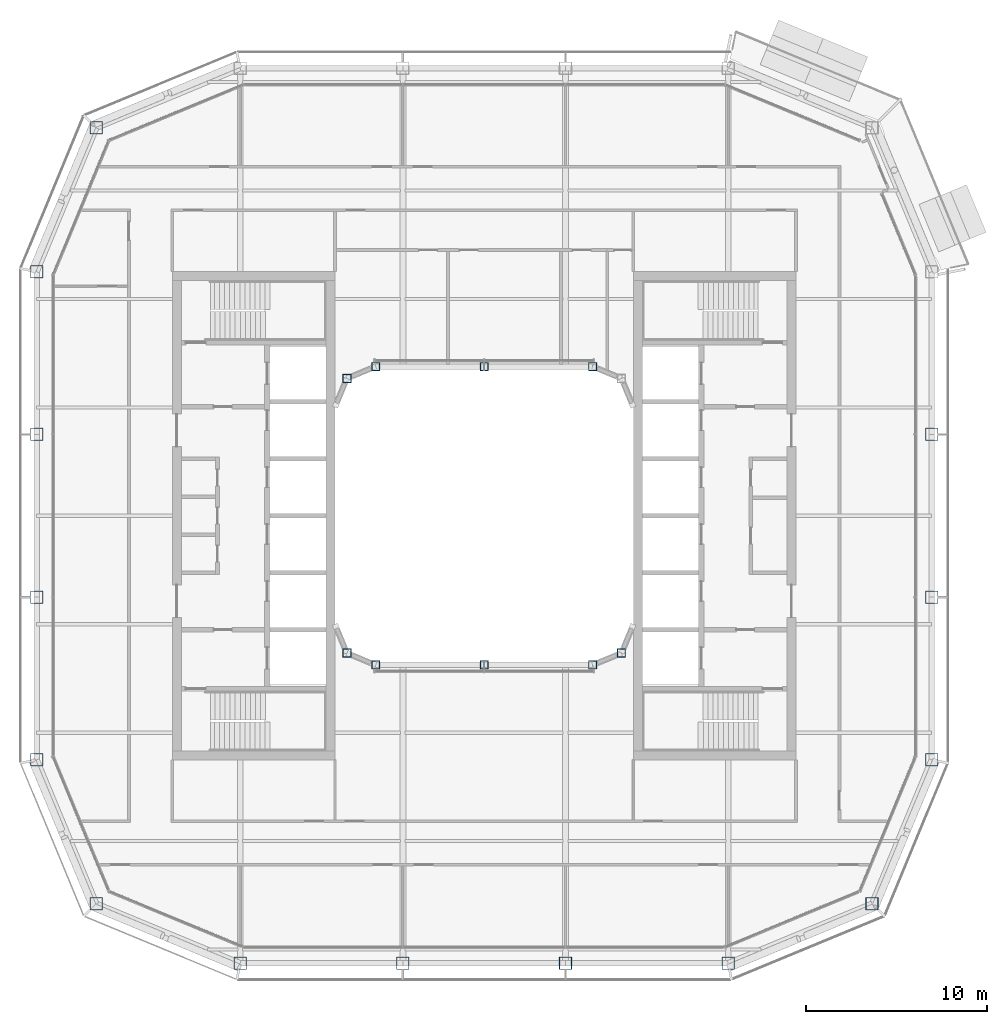
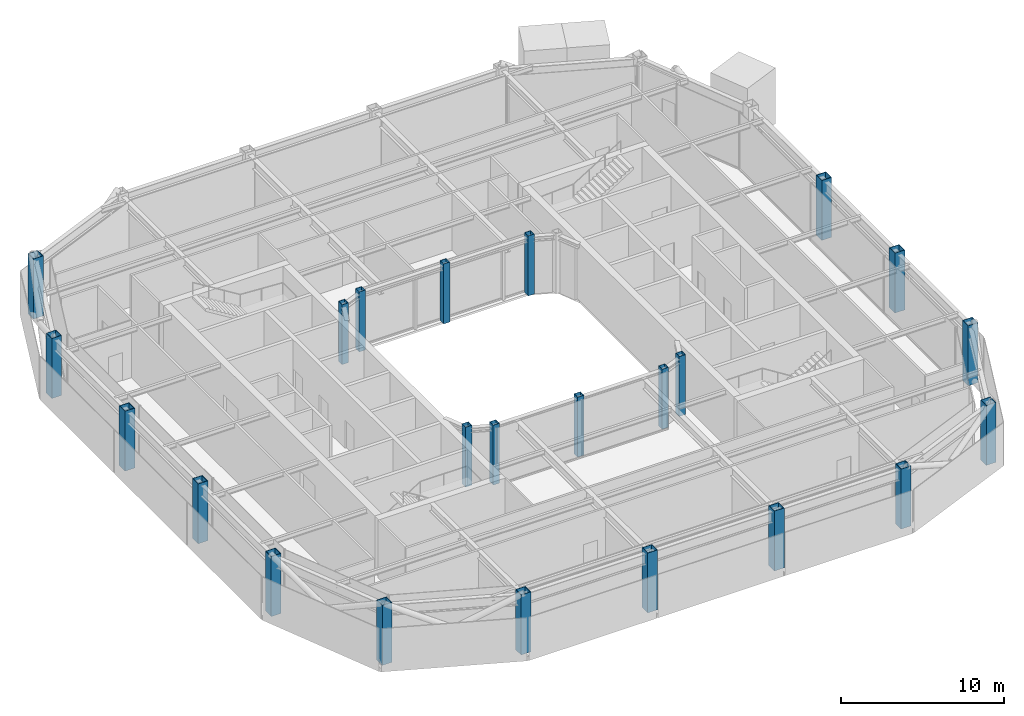
# One storey, part 1 of 21: 23 columns.
"""IFC4 building model written with IfcOpenShell, lengths in metres."""

from ifc_helpers import new_model, si_unit, direction, frame, origin, origin_2d, place, context, subcontext, project, spatial, hollow_rectangle, extrude, material, material_profile, profile_set, type_object, element, save


model = new_model("IFC4")

# Units and contexts
model_context = context("Model", 3, precision=1e-05, world=origin(), true_north=direction((0.0, 1.0)))
body_context = subcontext(model_context, "Body", "Model", "MODEL_VIEW")
ifc_project = project(units=[si_unit("LENGTHUNIT", "METRE"), si_unit("AREAUNIT", "SQUARE_METRE"), si_unit("VOLUMEUNIT", "CUBIC_METRE"), si_unit("PLANEANGLEUNIT", "RADIAN"), si_unit("MASSUNIT", "GRAM", prefix="KILO")], contexts=[model_context])

# Site, building, storey
site_placement = place(None, origin())
site = spatial("IfcSite", under=ifc_project, at=site_placement, CompositionType="ELEMENT")
building_placement = place(site_placement, origin())
building = spatial("IfcBuilding", under=site, at=building_placement, Name="Siwar Civic Tower", CompositionType="ELEMENT")
storey_placement = place(building_placement, frame((0.0, 0.0, 343.699951171875)))
storey = spatial("IfcBuildingStorey", under=building, at=storey_placement, Name="L74", CompositionType="ELEMENT", Elevation=343.699951171875)

# Columns
ifc_material_1 = material(Name="Steel S355", Category="steel")
ifc_material_profile_1 = material_profile(ifc_material_1, hollow_rectangle(XDim=0.699951171875, YDim=0.699951171875, WallThickness=0.035888671875, at=origin_2d()), Name="BOX700x700x36")
ifc_profile_set_1 = profile_set([ifc_material_profile_1], Name="Steel S355")
column_type_1 = type_object("IfcColumnType", Name="STR-COL-BOX700x700x36", PredefinedType="COLUMN", material=ifc_profile_set_1)
for number, where, z_axis, x_axis, name in (
    (1, (-13.5, -24.75, 0.0), (0.0, 0.0, 1.0), (1.0, 0.0, 0.0), "L74/col/S-0"),
    (2, (-4.5, -24.75, 0.0), (0.0, 0.0, 1.0), (1.0, 0.0, 0.0), "L74/col/S-1"),
    (3, (4.5, -24.75, 0.0), (0.0, 0.0, 1.0), (1.0, 0.0, 0.0), "L74/col/S-2"),
    (4, (13.5, -24.75, 0.0), (0.0, 0.0, 1.0), (1.0, 0.0, 0.0), "L74/col/SE1-0"),
    (5, (21.454833984375, -21.454833984375, 0.0), (0.0, 0.0, 1.0), (1.0, 0.0, 0.0), "L74/col/SE2-0"),
    (6, (24.75, -13.5, 0.0), (0.0, 0.0, 1.0), (1.0, 0.0, 0.0), "L74/col/E-0"),
    (7, (24.75, -4.5, 0.0), (0.0, 0.0, 1.0), (1.0, 0.0, 0.0), "L74/col/E-1"),
    (8, (24.75, 4.5, 0.0), (0.0, 0.0, 1.0), (1.0, 0.0, 0.0), "L74/col/E-2"),
    (9, (-21.454833984375, 21.454833984375, 0.0), (0.0, 0.0, 1.0), (1.0, 0.0, 0.0), "L74/col/NW2-0"),
    (10, (-24.75, 13.5, 0.0), (0.0, 0.0, 1.0), (1.0, 0.0, 0.0), "L74/col/W-0"),
    (11, (-24.75, 4.5, 0.0), (0.0, 0.0, 1.0), (1.0, 0.0, 0.0), "L74/col/W-1"),
    (12, (-24.75, -4.5, 0.0), (0.0, 0.0, 1.0), (1.0, 0.0, 0.0), "L74/col/W-2"),
    (13, (-24.75, -13.5, 0.0), (0.0, 0.0, 1.0), (1.0, 0.0, 0.0), "L74/col/SW1-0"),
    (14, (-21.454833984375, -21.454833984375, 0.0), (0.0, 0.0, 1.0), (1.0, 0.0, 0.0), "L74/col/SW2-0"),
):
    element("IfcColumn", number, at=place(storey_placement, frame(where, z_axis=z_axis, x_axis=x_axis)), inside=storey, type_object=column_type_1, Name=name, PredefinedType="COLUMN", context=body_context, shape_type="SweptSolid", body=[
        extrude(hollow_rectangle(XDim=0.699951171875, YDim=0.699951171875, WallThickness=0.035888671875, at=origin_2d()), origin(), (0.0, 0.0, 1.0), 4.5),
    ])
ifc_material_2 = material(Name="Steel S355", Category="steel")
ifc_material_profile_2 = material_profile(ifc_material_2, hollow_rectangle(XDim=0.449951171875, YDim=0.449951171875, WallThickness=0.02197265625, at=origin_2d()), Name="BOX450x450x22")
ifc_profile_set_2 = profile_set([ifc_material_profile_2], Name="Steel S355")
column_type_2 = type_object("IfcColumnType", Name="STR-ICOL-BOX450x450x22", PredefinedType="COLUMN", material=ifc_profile_set_2)
for number, where, z_axis, x_axis, name in (
    (15, (-7.591064453125, -7.591064453125, 0.0), (0.0, 0.0, 1.0), (1.0, 0.0, 0.0), "L74/col/IS-0"),
    (16, (-6.0, -8.25, 0.0), (0.0, 0.0, 1.0), (1.0, 0.0, 0.0), "L74/col/IS-1"),
    (17, (0.0, -8.25, 0.0), (0.0, 0.0, 1.0), (1.0, 0.0, 0.0), "L74/col/IS-2"),
    (18, (6.0, -8.25, 0.0), (0.0, 0.0, 1.0), (1.0, 0.0, 0.0), "L74/col/IS-3"),
    (19, (7.591064453125, -7.591064453125, 0.0), (0.0, 0.0, 1.0), (1.0, 0.0, 0.0), "L74/col/IS-4"),
    (20, (-7.591064453125, 7.591064453125, 0.0), (0.0, 0.0, 1.0), (1.0, 0.0, 0.0), "L74/col/IN-0"),
    (21, (-6.0, 8.25, 0.0), (0.0, 0.0, 1.0), (1.0, 0.0, 0.0), "L74/col/IN-1"),
    (22, (0.0, 8.25, 0.0), (0.0, 0.0, 1.0), (1.0, 0.0, 0.0), "L74/col/IN-2"),
    (23, (6.0, 8.25, 0.0), (0.0, 0.0, 1.0), (1.0, 0.0, 0.0), "L74/col/IN-3"),
):
    element("IfcColumn", number, at=place(storey_placement, frame(where, z_axis=z_axis, x_axis=x_axis)), inside=storey, type_object=column_type_2, Name=name, PredefinedType="COLUMN", context=body_context, shape_type="SweptSolid", body=[
        extrude(hollow_rectangle(XDim=0.449951171875, YDim=0.449951171875, WallThickness=0.02197265625, at=origin_2d()), origin(), (0.0, 0.0, 1.0), 4.5),
    ])

save(model, "model.ifc")
